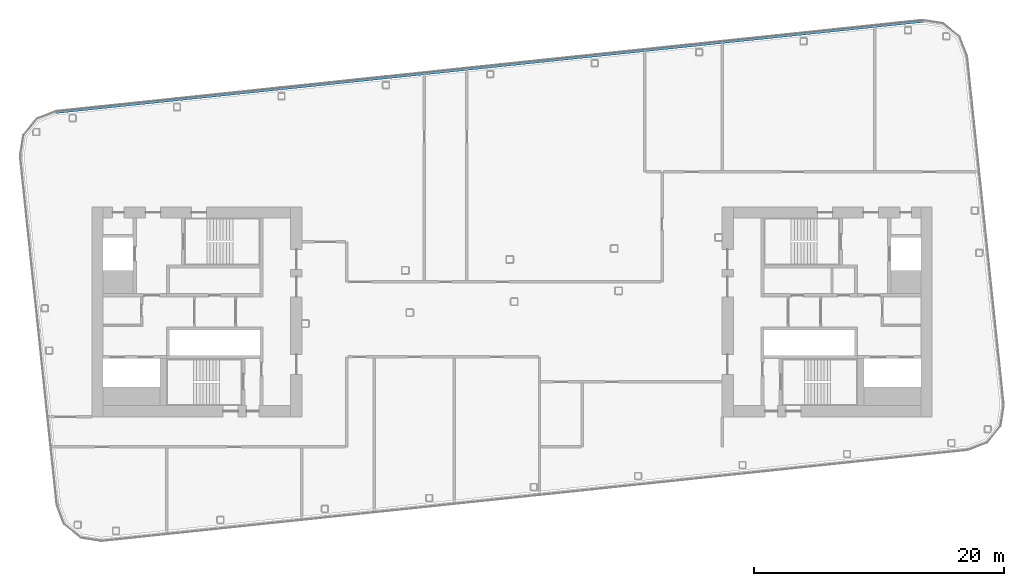
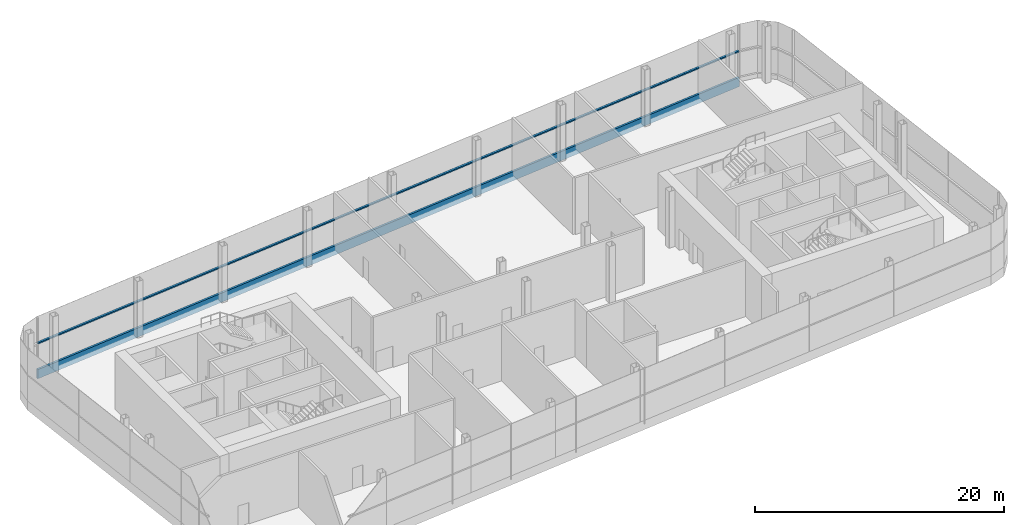
# One storey, part 10 of 35: 2 members, 1 element without a shape of its own.
"""IFC4 building model written with IfcOpenShell, lengths in metres."""

import ifcopenshell
import ifcopenshell.guid

model = None  # the IFC model being written
_history = None  # IfcOwnerHistory: only IFC2X3 demands one
_inside = {}  # id of a spatial element -> (the spatial element, [elements in it])
_under = {}  # id of a project, library or spatial element -> (it, [spatial elements below it])
_declared = {}  # id of a project -> (the project, [libraries it declares])
_typed = {}  # id of a type object -> (the type object, [elements of that type])
_made_of = {}  # id of a material, layer set ... -> (it, [elements and type objects made of it])


def new_model(schema):
    """Start an empty IFC model of exactly this schema.

    Asked for "IFC4X3", IfcOpenShell would pick the latest addendum, in which some entities
    have other attributes; the version numbers below select the first issue.
    IFC2X3 requires an IfcOwnerHistory on every rooted entity: one is made here for all.
    """
    global model, _history
    if schema == "IFC4X3":
        model = ifcopenshell.file(schema_version=(4, 3, 0, 0))
    else:
        model = ifcopenshell.file(schema=schema)
    _inside.clear()
    _under.clear()
    _declared.clear()
    _typed.clear()
    _made_of.clear()
    _history = None
    if model.schema == "IFC2X3":
        org = make("IfcOrganization", Name="unknown")
        user = make(
            "IfcPersonAndOrganization",
            ThePerson=make("IfcPerson", FamilyName="unknown"),
            TheOrganization=org,
        )
        app = make(
            "IfcApplication",
            ApplicationDeveloper=org,
            Version="unknown",
            ApplicationFullName="unknown",
            ApplicationIdentifier="unknown",
        )
        _history = make(
            "IfcOwnerHistory",
            OwningUser=user,
            OwningApplication=app,
            ChangeAction="ADDED",
            CreationDate=0,
        )
    return model


def make(cls, **values):
    """One entity of the class cls with the attributes given. An attribute that is None is left unset."""
    return model.create_entity(
        cls, **{name: value for name, value in values.items() if value is not None}
    )


def rooted(cls, **values):
    """An entity with a GlobalId (a new one), such as an element, a storey or a relation."""
    return make(cls, GlobalId=ifcopenshell.guid.new(), OwnerHistory=_history, **values)


def si_unit(unit_type, name, prefix=None):
    """IfcSIUnit, for example si_unit("LENGTHUNIT", "METRE", prefix="MILLI")."""
    return make("IfcSIUnit", UnitType=unit_type, Prefix=prefix, Name=name)


def assignment(units):
    """IfcUnitAssignment: the units of a project."""
    return None if units is None else make("IfcUnitAssignment", Units=units)


def point(xyz):
    """IfcCartesianPoint."""
    return None if xyz is None else make("IfcCartesianPoint", Coordinates=xyz)


def direction(xyz):
    """IfcDirection."""
    return None if xyz is None else make("IfcDirection", DirectionRatios=xyz)


def frame(location, z_axis=None, x_axis=None):
    """IfcAxis2Placement3D, a coordinate frame: its origin and axes. An axis left out is left unset."""
    return make(
        "IfcAxis2Placement3D",
        Location=point(location),
        Axis=direction(z_axis),
        RefDirection=direction(x_axis),
    )


def frame_2d(location, x_axis=None):
    """IfcAxis2Placement2D, a coordinate frame in the plane: its origin and x axis."""
    return make(
        "IfcAxis2Placement2D", Location=point(location), RefDirection=direction(x_axis)
    )


def origin():
    """The frame at (0, 0, 0) with its axes left unset."""
    return frame((0.0, 0.0, 0.0))


def origin_2d():
    """The frame at (0, 0) in the plane with its x axis left unset."""
    return frame_2d((0.0, 0.0))


def place(relative_to, where):
    """IfcLocalPlacement: puts the frame where relative to a parent placement (None: the world)."""
    return make(
        "IfcLocalPlacement", PlacementRelTo=relative_to, RelativePlacement=where
    )


def context(
    kind, dimensions, precision=None, world=None, true_north=None, identifier=None
):
    """IfcGeometricRepresentationContext, for example the 3D "Model" context."""
    return make(
        "IfcGeometricRepresentationContext",
        ContextIdentifier=identifier,
        ContextType=kind,
        CoordinateSpaceDimension=dimensions,
        Precision=precision,
        WorldCoordinateSystem=world,
        TrueNorth=true_north,
    )


def subcontext(parent, identifier, kind, view, scale=None):
    """IfcGeometricRepresentationSubContext, for example "Body" below "Model"."""
    return make(
        "IfcGeometricRepresentationSubContext",
        ContextIdentifier=identifier,
        ContextType=kind,
        ParentContext=parent,
        TargetScale=scale,
        TargetView=view,
    )


def project(units=None, contexts=None):
    """IfcProject with its units and contexts."""
    return rooted(
        "IfcProject",
        Name="project",
        RepresentationContexts=contexts,
        UnitsInContext=assignment(units),
    )


def spatial(cls, under=None, at=None, **own):
    """A site, building, storey or space (cls), placed at a placement, below another one or the project."""
    s = rooted(cls, ObjectPlacement=at, **own)
    if under is not None:
        _under.setdefault(under.id(), (under, []))[1].append(s)
    return s


def profile(cls, at=None, kind="AREA", **sizes):
    """A parametric profile (cls). Its sizes go by their IFC names, for example OverallWidth=200.0."""
    return make(cls, ProfileType=kind, Position=at, **sizes)


def rectangle(**sizes):
    """IfcRectangleProfileDef."""
    return profile("IfcRectangleProfileDef", **sizes)


def extrude(swept, where, along, depth):
    """IfcExtrudedAreaSolid: the profile swept, set in the frame where, extruded along a direction by depth."""
    return make(
        "IfcExtrudedAreaSolid",
        SweptArea=swept,
        Position=where,
        ExtrudedDirection=direction(along),
        Depth=depth,
    )


def shape(context_of_items, identifier, shape_type, items):
    """IfcShapeRepresentation: the items that make up one representation, for example the "Body"."""
    return make(
        "IfcShapeRepresentation",
        ContextOfItems=context_of_items,
        RepresentationIdentifier=identifier,
        RepresentationType=shape_type,
        Items=items,
    )


def material(Name=None, Category=None):
    """IfcMaterial."""
    return make("IfcMaterial", Name=Name, Category=Category)


def layer(
    of_material, thickness, ventilated=None, Name=None, Category=None, Priority=None
):
    """IfcMaterialLayer: one layer of a wall or slab, of a material (None: an air gap)."""
    return make(
        "IfcMaterialLayer",
        Material=of_material,
        LayerThickness=thickness,
        IsVentilated=ventilated,
        Name=Name,
        Category=Category,
        Priority=Priority,
    )


def layer_set(layers, Name=None):
    """IfcMaterialLayerSet."""
    return make("IfcMaterialLayerSet", MaterialLayers=layers, LayerSetName=Name)


def material_profile(
    of_material, cross_section, Name=None, Category=None, Priority=None
):
    """IfcMaterialProfile: a cross section and its material."""
    return make(
        "IfcMaterialProfile",
        Name=Name,
        Material=of_material,
        Profile=cross_section,
        Priority=Priority,
        Category=Category,
    )


def profile_set(profiles, Name=None, composite=None):
    """IfcMaterialProfileSet."""
    return make(
        "IfcMaterialProfileSet",
        Name=Name,
        MaterialProfiles=profiles,
        CompositeProfile=composite,
    )


def made_of(thing, what):
    """Note that an element or type object is made of a material, layer set ...; save() writes the relation."""
    if what is not None:
        _made_of.setdefault(what.id(), (what, []))[1].append(thing)
    return thing


def type_object(cls, material=None, **own):
    """A type object (cls), such as IfcWallType, which elements share."""
    return made_of(rooted(cls, **own), material)


def element(
    cls,
    number,
    at=None,
    inside=None,
    cuts=None,
    type_object=None,
    material=None,
    context=None,
    identifier="Body",
    shape_type=None,
    held_by="IfcProductDefinitionShape",
    body=None,
    shapes=None,
    **own,
):
    """One element of the class cls, such as IfcWall. Its Tag is "e" and its number.

    at: its placement. inside: the storey or other place that contains it. cuts: it is an
    opening in that element (IfcRelVoidsElement). A single representation is given by context,
    identifier, shape_type and body (its items); several are given by shapes. held_by: the class
    of the entity that holds the representations. save() writes the other relations.
    """
    e = rooted(cls, Tag="e%d" % number, ObjectPlacement=at, **own)
    if body is not None:
        shapes = [shape(context, identifier, shape_type, body)]
    if shapes is not None:
        e.Representation = make(held_by, Representations=shapes)
    if inside is not None:
        _inside.setdefault(inside.id(), (inside, []))[1].append(e)
    if cuts is not None:
        rooted(
            "IfcRelVoidsElement", RelatingBuildingElement=cuts, RelatedOpeningElement=e
        )
    if type_object is not None:
        _typed.setdefault(type_object.id(), (type_object, []))[1].append(e)
    return made_of(e, material)


def aggregate(whole, parts):
    """IfcRelAggregates: a whole, such as a stair, and the parts it consists of."""
    return rooted("IfcRelAggregates", RelatingObject=whole, RelatedObjects=parts)


def save(model, path):
    """Write the relations noted so far, then the file.

    IfcRelAggregates (storeys below a building ...), IfcRelContainedInSpatialStructure (elements
    in a storey), IfcRelDefinesByType, IfcRelAssociatesMaterial and IfcRelDeclares: one each for
    every whole, place, type object, material and project.
    """
    for whole, parts in _under.values():
        aggregate(whole, parts)
    for where, things in _inside.values():
        rooted(
            "IfcRelContainedInSpatialStructure",
            RelatedElements=things,
            RelatingStructure=where,
        )
    for kind, things in _typed.values():
        rooted("IfcRelDefinesByType", RelatedObjects=things, RelatingType=kind)
    for what, things in _made_of.values():
        rooted("IfcRelAssociatesMaterial", RelatedObjects=things, RelatingMaterial=what)
    for by, libraries in _declared.values():
        rooted("IfcRelDeclares", RelatingContext=by, RelatedDefinitions=libraries)
    model.write(path)


model = new_model("IFC4")

# Units and contexts
model_context = context("Model", 3, precision=1e-05, world=origin(), true_north=direction((0.0, 1.0)))
body_context = subcontext(model_context, "Body", "Model", "MODEL_VIEW")
ifc_project = project(units=[si_unit("LENGTHUNIT", "METRE"), si_unit("AREAUNIT", "SQUARE_METRE"), si_unit("VOLUMEUNIT", "CUBIC_METRE"), si_unit("PLANEANGLEUNIT", "RADIAN"), si_unit("MASSUNIT", "GRAM", prefix="KILO")], contexts=[model_context])

# Site, building, storey
site_placement = place(None, origin())
site = spatial("IfcSite", under=ifc_project, at=site_placement, CompositionType="ELEMENT")
building_placement = place(site_placement, origin())
building = spatial("IfcBuilding", under=site, at=building_placement, Name="Hakoniwa Tower and Hamabe Station Hall", CompositionType="ELEMENT")
storey_placement = place(building_placement, frame((0.0, 0.0, 264.60009765625)))
storey = spatial("IfcBuildingStorey", under=building, at=storey_placement, Name="L75", CompositionType="ELEMENT", Elevation=264.60009765625)

# Curtain wall, members
ifc_material_1 = material(Name="Dark low-e laminated glass", Category="glass")
ifc_layer = layer(ifc_material_1, 0.199951171875)
ifc_layer_set = layer_set([ifc_layer], Name="CW-1 UNITISED GUEST")
curtain_wall_type = type_object("IfcCurtainWallType", Name="CW-1 UNITISED GUEST", PredefinedType="NOTDEFINED", material=ifc_layer_set)
curtain_wall_placement = place(storey_placement, origin())
curtain_wall = element("IfcCurtainWall", 1, at=curtain_wall_placement, inside=storey, type_object=curtain_wall_type, Name="CW-1 curtain wall", PredefinedType="NOTDEFINED")
ifc_material_2 = material(Name="Aluminium 6063-T5 black anodised", Category="aluminium")
ifc_material_profile_1 = material_profile(ifc_material_2, rectangle(XDim=0.199951171875, YDim=0.1201171875, at=origin_2d()), Name="CW MID TRANSOM 120X200")
ifc_profile_set_1 = profile_set([ifc_material_profile_1], Name="Aluminium 6063-T5 black anodised")
member_type_1 = type_object("IfcMemberType", Name="CW MID TRANSOM 120X200", PredefinedType="USERDEFINED", material=ifc_profile_set_1)
member_1_placement = place(storey_placement, frame((32.850830078125, 23.24755859375, 2.89990234375), z_axis=(-0.994521894037, -0.10452847593, 0.0), x_axis=(0.10452847593, -0.994521894037, 0.0)))
member_1 = element("IfcMember", 2, at=member_1_placement, type_object=member_type_1, Name="CW-1 transom", ObjectType="TRANSOM", PredefinedType="USERDEFINED", context=body_context, shape_type="SweptSolid", body=[
    extrude(rectangle(XDim=0.199951171875, YDim=0.1201171875, at=origin_2d()), origin(), (0.0, 0.0, 1.0), 69.678955078125),
])
ifc_material_3 = material(Name="Aluminium 6063-T5 black anodised", Category="aluminium")
ifc_material_profile_2 = material_profile(ifc_material_3, rectangle(XDim=0.199951171875, YDim=0.89990234375, at=origin_2d()), Name="CW SLAB-EDGE BAND 900X200")
ifc_profile_set_2 = profile_set([ifc_material_profile_2], Name="Aluminium 6063-T5 black anodised")
member_type_2 = type_object("IfcMemberType", Name="CW SLAB-EDGE BAND 900X200", PredefinedType="USERDEFINED", material=ifc_profile_set_2)
member_2_placement = place(storey_placement, frame((32.850830078125, 23.24755859375, -0.10009765625), z_axis=(-0.994521894037, -0.10452847593, 0.0), x_axis=(0.10452847593, -0.994521894037, 0.0)))
member_2 = element("IfcMember", 3, at=member_2_placement, type_object=member_type_2, Name="CW-1 transom", ObjectType="TRANSOM", PredefinedType="USERDEFINED", context=body_context, shape_type="SweptSolid", body=[
    extrude(rectangle(XDim=0.199951171875, YDim=0.89990234375, at=origin_2d()), origin(), (0.0, 0.0, 1.0), 69.678955078125),
])
aggregate(curtain_wall, [member_2, member_1])

save(model, "model.ifc")
